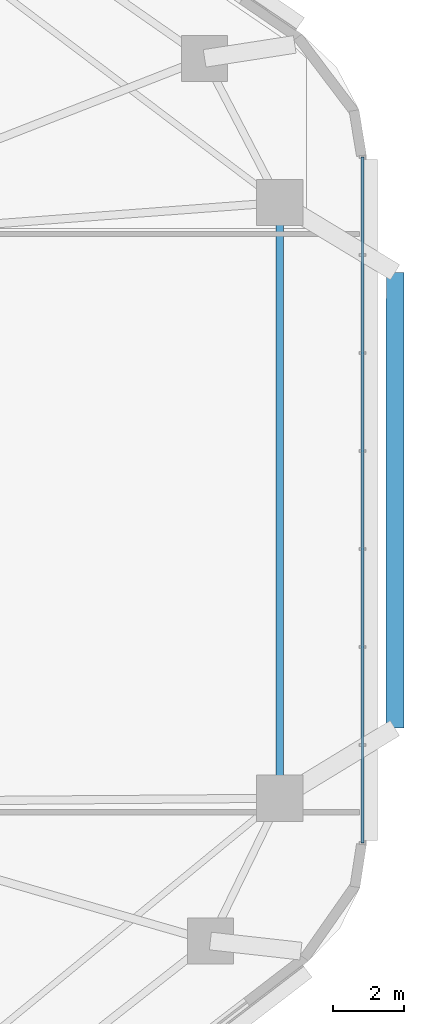
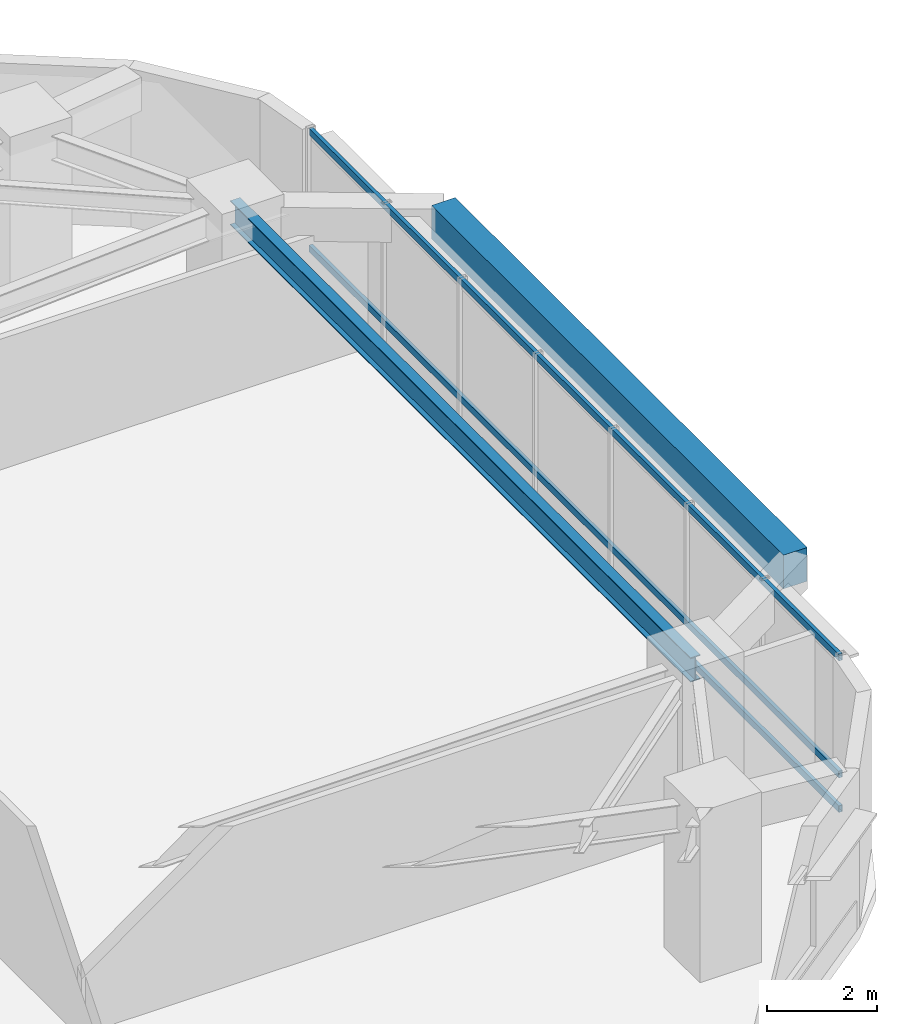
# One storey, part 3 of 14: 3 members, 2 beams, 1 element without a shape of its own.
"""IFC4 building model written with IfcOpenShell, lengths in metres."""

from ifc_helpers import new_model, si_unit, direction, frame, origin, origin_2d, place, context, subcontext, project, spatial, rectangle, hollow_rectangle, i_section, extrude, material, material_profile, profile_set, type_object, element, aggregate, save


model = new_model("IFC4")

# Units and contexts
model_context = context("Model", 3, precision=1e-05, world=origin(), true_north=direction((0.0, 1.0)))
body_context = subcontext(model_context, "Body", "Model", "MODEL_VIEW")
ifc_project = project(units=[si_unit("LENGTHUNIT", "METRE"), si_unit("AREAUNIT", "SQUARE_METRE"), si_unit("VOLUMEUNIT", "CUBIC_METRE"), si_unit("PLANEANGLEUNIT", "RADIAN"), si_unit("MASSUNIT", "GRAM", prefix="KILO")], contexts=[model_context])

# Site, building, storey
site_placement = place(None, origin())
site = spatial("IfcSite", under=ifc_project, at=site_placement, CompositionType="ELEMENT")
building_placement = place(site_placement, origin())
building = spatial("IfcBuilding", under=site, at=building_placement, Name="Zulverin Broadcast Headquarters", CompositionType="ELEMENT")
storey_placement = place(building_placement, frame((0.0, 0.0, 40.199951171875)))
storey = spatial("IfcBuildingStorey", under=building, at=storey_placement, Name="L09", CompositionType="ELEMENT", Elevation=40.199951171875)

# Beams
ifc_material_1 = material(Name="Concrete C40/50", Category="concrete")
ifc_material_profile_1 = material_profile(ifc_material_1, rectangle(XDim=0.5, YDim=0.75, at=origin_2d()), Name="Concrete C40/50", Category="concrete")
ifc_profile_set_1 = profile_set([ifc_material_profile_1], Name="Concrete C40/50")
beam_type_1 = type_object("IfcBeamType", Name="BM-RC-500x750", PredefinedType="BEAM", material=ifc_profile_set_1)
beam_1_placement = place(storey_placement, frame((66.994384765625, 19.418212890625, 3.150146484375), z_axis=(0.000531985561, 0.999999858496, 0.0), x_axis=(-0.999999858496, 0.000531985561, 0.0)))
element("IfcBeam", 1, at=beam_1_placement, inside=storey, type_object=beam_type_1, Name="L10 Balcony Outer Edge Trimmer Beam BAL_E", PredefinedType="BEAM", context=body_context, shape_type="SweptSolid", body=[
    extrude(rectangle(XDim=0.5, YDim=0.75, at=origin_2d()), origin(), (0.0, 0.0, 1.0), 12.849853515625),
])
ifc_material_2 = material(Name="Structural steel S355JR", Category="steel")
ifc_material_profile_2 = material_profile(ifc_material_2, i_section(OverallWidth=0.2119140625, OverallDepth=0.54443359375, WebThickness=0.0126953125, FlangeThickness=0.021240234375, at=origin_2d()), Name="Structural steel S355JR", Category="steel")
ifc_profile_set_2 = profile_set([ifc_material_profile_2], Name="Structural steel S355JR")
beam_type_2 = type_object("IfcBeamType", Name="BM-UB-533", PredefinedType="SPANDREL", material=ifc_profile_set_2)
beam_2_placement = place(storey_placement, frame((63.75, 17.439697265625, 3.2529296875), z_axis=(0.0, 1.0, 0.0), x_axis=(-1.0, 0.0, 0.0)))
element("IfcBeam", 2, at=beam_2_placement, inside=storey, type_object=beam_type_2, Name="L09 Perimeter Spandrel Beam SP-05", PredefinedType="SPANDREL", context=body_context, shape_type="SweptSolid", body=[
    extrude(i_section(OverallWidth=0.2119140625, OverallDepth=0.54443359375, WebThickness=0.0126953125, FlangeThickness=0.021240234375, at=origin_2d()), origin(), (0.0, 0.0, 1.0), 16.79541015625),
])

# Curtain wall, members
ifc_material_3 = material(Name="Low-zone ribbon unitised curtain wall", Category="aluminium")
curtain_wall_type = type_object("IfcCurtainWallType", Name="CW-TWR-LOW", PredefinedType="USERDEFINED", material=ifc_material_3)
curtain_wall_placement = place(storey_placement, origin())
curtain_wall = element("IfcCurtainWall", 3, at=curtain_wall_placement, inside=storey, type_object=curtain_wall_type, Name="L09 Unitised Curtain Wall CW-L09-E3", ObjectType="UNITISED CURTAIN WALL", PredefinedType="USERDEFINED")
ifc_material_4 = material(Name="Anodized pale-metal aluminium alloy 6063-T6", Category="aluminium")
ifc_material_profile_3 = material_profile(ifc_material_4, hollow_rectangle(XDim=0.074951171875, YDim=0.14990234375, WallThickness=0.0048828125, at=origin_2d()), Name="Anodized pale-metal aluminium alloy 6063-T6", Category="aluminium")
ifc_profile_set_3 = profile_set([ifc_material_profile_3], Name="Anodized pale-metal aluminium alloy 6063-T6")
member_type = type_object("IfcMemberType", Name="CW-TRN-150", PredefinedType="USERDEFINED", material=ifc_profile_set_3)
member_1_placement = place(storey_placement, frame((66.080078125, 16.183349609375, 0.074951171875), z_axis=(0.0, 1.0, 0.0), x_axis=(-1.0, 0.0, 0.0)))
member_1 = element("IfcMember", 4, at=member_1_placement, type_object=member_type, Name="CW-L09-E3 Transom 0", ObjectType="TRANSOM", PredefinedType="USERDEFINED", context=body_context, shape_type="SweptSolid", body=[
    extrude(hollow_rectangle(XDim=0.074951171875, YDim=0.14990234375, WallThickness=0.0048828125, at=origin_2d()), origin(), (0.0, 0.0, 1.0), 19.3310546875),
])
member_2_placement = place(storey_placement, frame((66.080078125, 16.183349609375, 0.845947265625), z_axis=(0.0, 1.0, 0.0), x_axis=(-1.0, 0.0, 0.0)))
member_2 = element("IfcMember", 5, at=member_2_placement, type_object=member_type, Name="CW-L09-E3 Transom 1", ObjectType="TRANSOM", PredefinedType="USERDEFINED", context=body_context, shape_type="SweptSolid", body=[
    extrude(hollow_rectangle(XDim=0.074951171875, YDim=0.14990234375, WallThickness=0.0048828125, at=origin_2d()), origin(), (0.0, 0.0, 1.0), 19.3310546875),
])
member_3_placement = place(storey_placement, frame((66.080078125, 16.183349609375, 3.449951171875), z_axis=(0.0, 1.0, 0.0), x_axis=(-1.0, 0.0, 0.0)))
member_3 = element("IfcMember", 6, at=member_3_placement, type_object=member_type, Name="CW-L09-E3 Transom 2", ObjectType="TRANSOM", PredefinedType="USERDEFINED", context=body_context, shape_type="SweptSolid", body=[
    extrude(hollow_rectangle(XDim=0.074951171875, YDim=0.14990234375, WallThickness=0.0048828125, at=origin_2d()), origin(), (0.0, 0.0, 1.0), 19.3310546875),
])
aggregate(curtain_wall, [member_1, member_2, member_3])

save(model, "model.ifc")
